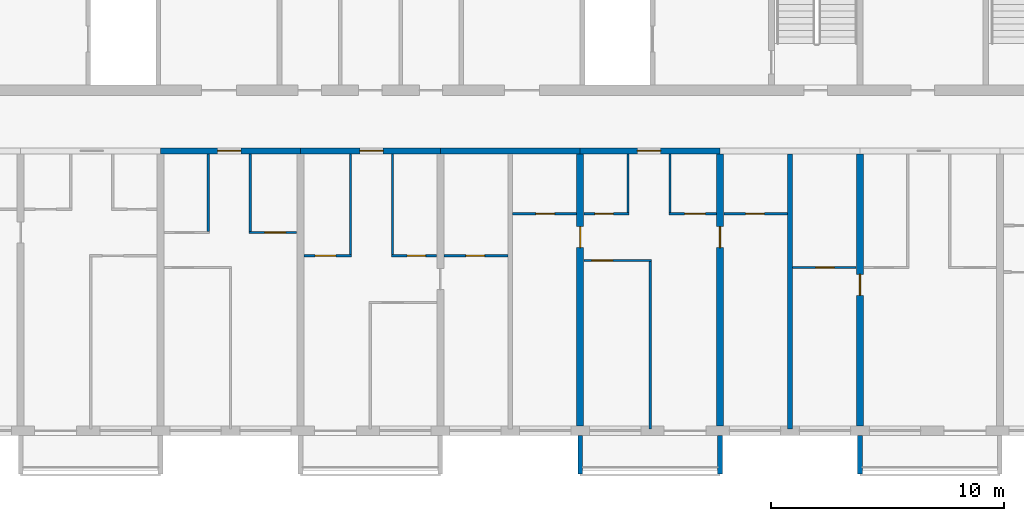
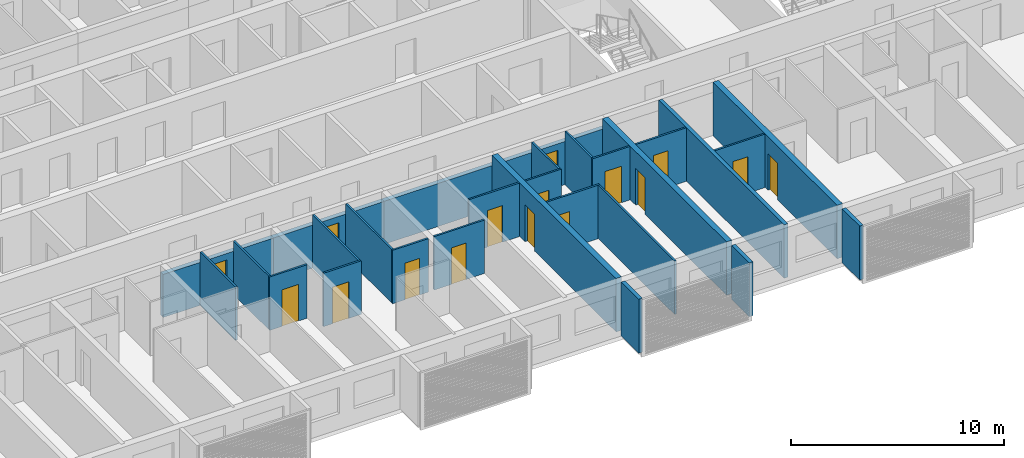
# One storey, part 5 of 33: 28 walls, 16 doors, 16 openings.
"""IFC4 building model written with IfcOpenShell, lengths in metres."""

from ifc_helpers import new_model, si_unit, direction, frame, frame_2d, origin, place, context, subcontext, project, spatial, polyline, rectangle, outline, extrude, source, transform, mapped, material, layer, layer_set, type_object, element, fill, save


model = new_model("IFC4")

# Units and contexts
model_context = context("Model", 3, precision=1e-05, world=origin(), true_north=direction((0.0, 1.0)))
body_context = subcontext(model_context, "Body", "Model", "MODEL_VIEW")
ifc_project = project(units=[si_unit("LENGTHUNIT", "METRE"), si_unit("AREAUNIT", "SQUARE_METRE"), si_unit("VOLUMEUNIT", "CUBIC_METRE"), si_unit("PLANEANGLEUNIT", "RADIAN"), si_unit("MASSUNIT", "GRAM", prefix="KILO")], contexts=[model_context])

# Site, building, storey
site_placement = place(None, origin())
site = spatial("IfcSite", under=ifc_project, at=site_placement, CompositionType="ELEMENT")
building_placement = place(site_placement, origin())
building = spatial("IfcBuilding", under=site, at=building_placement, Name="Poui Terraces", CompositionType="ELEMENT")
storey_placement = place(building_placement, frame((0.0, 0.0, 132.300048828125)))
storey = spatial("IfcBuildingStorey", under=building, at=storey_placement, Name="L36", CompositionType="ELEMENT", Elevation=132.300048828125)

# Wall, opening, door
ifc_material_1 = material(Name="Concrete 65 MPa", Category="concrete")
ifc_layer_1 = layer(ifc_material_1, 0.25)
ifc_layer_set_1 = layer_set([ifc_layer_1], Name="Concrete 65 MPa")
wall_type_1 = type_object("IfcWallType", Name="CORRIDOR WALL 250 65MPa", PredefinedType="SHEAR", material=ifc_layer_set_1)
wall_1_placement = place(storey_placement, frame((42.0, 12.0, 0.0), z_axis=(0.0, 0.0, 1.0), x_axis=(1.0, 0.0, 0.0)))
wall_1 = element("IfcWall", 1, at=wall_1_placement, inside=storey, type_object=wall_type_1, Name="CORRIDOR WALL LINE B BAY 6", PredefinedType="SHEAR", context=body_context, shape_type="SweptSolid", body=[
    extrude(rectangle(XDim=6.0, YDim=0.25, at=frame_2d((3.0, 0.0))), origin(), (0.0, 0.0, 1.0), 2.469970703125),
])
opening_1_placement = place(wall_1_placement, frame((2.449951171875, 0.0, 0.0)))
opening_1 = element("IfcOpeningElement", 2, at=opening_1_placement, cuts=wall_1, Name="Opening FD30S", PredefinedType="OPENING", context=body_context, shape_type="SweptSolid", body=[
    extrude(rectangle(XDim=1.0, YDim=2.10009765625, at=frame_2d((0.5, 1.050048828125))), frame((0.0, 0.135009765625, 0.0), z_axis=(0.0, -1.0, 0.0), x_axis=(1.0, 0.0, 0.0)), (0.0, 0.0, 1.0), 0.27001953125),
])
ifc_material_2 = material(Name="Steel fire door", Category="steel")
door_type_1 = type_object("IfcDoorType", Name="FLAT ENTRANCE DOOR 1000 X 2100", OperationType="NOTDEFINED", PredefinedType="DOOR", material=ifc_material_2)
door_1_placement = place(opening_1_placement, frame((1.0, 0.0, 0.0), z_axis=(0.0, 0.0, 1.0), x_axis=(-1.0, 0.0, 0.0)))
door_1 = element("IfcDoor", 3, at=door_1_placement, inside=storey, type_object=door_type_1, Name="FLAT ENTRANCE DOOR 091", OperationType="SINGLE_SWING_RIGHT", OverallHeight=2.10009765625, OverallWidth=1.0, PredefinedType="DOOR", context=body_context, shape_type="SweptSolid", body=[
    extrude(rectangle(XDim=1.0, YDim=2.10009765625, at=frame_2d((0.5, 1.050048828125))), frame((0.0, 0.02490234375, 0.0), z_axis=(0.0, -1.0, 0.0), x_axis=(1.0, 0.0, 0.0)), (0.0, 0.0, 1.0), 0.050048828125),
])
fill(opening_1, door_1)

wall_2_placement = place(storey_placement, frame((48.0, 12.0, 0.0), z_axis=(0.0, 0.0, 1.0), x_axis=(1.0, 0.0, 0.0)))
wall_2 = element("IfcWall", 4, at=wall_2_placement, inside=storey, type_object=wall_type_1, Name="CORRIDOR WALL LINE B BAY 7", PredefinedType="SHEAR", context=body_context, shape_type="SweptSolid", body=[
    extrude(rectangle(XDim=6.0, YDim=0.25, at=frame_2d((3.0, 0.0))), origin(), (0.0, 0.0, 1.0), 2.469970703125),
])
opening_2_placement = place(wall_2_placement, frame((2.550048828125, 0.0, 0.0)))
opening_2 = element("IfcOpeningElement", 5, at=opening_2_placement, cuts=wall_2, Name="Opening FD30S", PredefinedType="OPENING", context=body_context, shape_type="SweptSolid", body=[
    extrude(rectangle(XDim=1.0, YDim=2.10009765625, at=frame_2d((0.5, 1.050048828125))), frame((0.0, 0.135009765625, 0.0), z_axis=(0.0, -1.0, 0.0), x_axis=(1.0, 0.0, 0.0)), (0.0, 0.0, 1.0), 0.27001953125),
])
door_2_placement = place(opening_2_placement, frame((1.0, 0.0, 0.0), z_axis=(0.0, 0.0, 1.0), x_axis=(-1.0, 0.0, 0.0)))
door_2 = element("IfcDoor", 6, at=door_2_placement, inside=storey, type_object=door_type_1, Name="FLAT ENTRANCE DOOR 095", OperationType="SINGLE_SWING_LEFT", OverallHeight=2.10009765625, OverallWidth=1.0, PredefinedType="DOOR", context=body_context, shape_type="SweptSolid", body=[
    extrude(rectangle(XDim=1.0, YDim=2.10009765625, at=frame_2d((0.5, 1.050048828125))), frame((0.0, 0.02490234375, 0.0), z_axis=(0.0, -1.0, 0.0), x_axis=(1.0, 0.0, 0.0)), (0.0, 0.0, 1.0), 0.050048828125),
])
fill(opening_2, door_2)

# Wall
wall_3_placement = place(storey_placement, frame((54.0, 12.0, 0.0), z_axis=(0.0, 0.0, 1.0), x_axis=(1.0, 0.0, 0.0)))
element("IfcWall", 7, at=wall_3_placement, inside=storey, type_object=wall_type_1, Name="CORRIDOR WALL LINE B BAY 8", PredefinedType="SHEAR", context=body_context, shape_type="SweptSolid", body=[
    extrude(rectangle(XDim=6.0, YDim=0.25, at=frame_2d((3.0, 0.0))), origin(), (0.0, 0.0, 1.0), 2.469970703125),
])

# Wall, opening, door
wall_4_placement = place(storey_placement, frame((60.0, 12.0, 0.0), z_axis=(0.0, 0.0, 1.0), x_axis=(1.0, 0.0, 0.0)))
wall_4 = element("IfcWall", 8, at=wall_4_placement, inside=storey, type_object=wall_type_1, Name="CORRIDOR WALL LINE B BAY 9", PredefinedType="SHEAR", context=body_context, shape_type="SweptSolid", body=[
    extrude(rectangle(XDim=6.0, YDim=0.25, at=frame_2d((3.0, 0.0))), origin(), (0.0, 0.0, 1.0), 2.469970703125),
])
opening_3_placement = place(wall_4_placement, frame((2.449951171875, 0.0, 0.0)))
opening_3 = element("IfcOpeningElement", 9, at=opening_3_placement, cuts=wall_4, Name="Opening FD30S", PredefinedType="OPENING", context=body_context, shape_type="SweptSolid", body=[
    extrude(rectangle(XDim=1.0, YDim=2.10009765625, at=frame_2d((0.5, 1.050048828125))), frame((0.0, 0.135009765625, 0.0), z_axis=(0.0, -1.0, 0.0), x_axis=(1.0, 0.0, 0.0)), (0.0, 0.0, 1.0), 0.27001953125),
])
door_3_placement = place(opening_3_placement, frame((1.0, 0.0, 0.0), z_axis=(0.0, 0.0, 1.0), x_axis=(-1.0, 0.0, 0.0)))
door_3 = element("IfcDoor", 10, at=door_3_placement, inside=storey, type_object=door_type_1, Name="FLAT ENTRANCE DOOR 104", OperationType="SINGLE_SWING_RIGHT", OverallHeight=2.10009765625, OverallWidth=1.0, PredefinedType="DOOR", context=body_context, shape_type="SweptSolid", body=[
    extrude(rectangle(XDim=1.0, YDim=2.10009765625, at=frame_2d((0.5, 1.050048828125))), frame((0.0, 0.02490234375, 0.0), z_axis=(0.0, -1.0, 0.0), x_axis=(1.0, 0.0, 0.0)), (0.0, 0.0, 1.0), 0.050048828125),
])
fill(opening_3, door_3)

ifc_layer_2 = layer(ifc_material_1, 0.300048828125)
ifc_layer_set_2 = layer_set([ifc_layer_2], Name="Concrete 65 MPa")
wall_type_2 = type_object("IfcWallType", Name="CROSS WALL 300 65MPa", PredefinedType="SHEAR", material=ifc_layer_set_2)
wall_5_placement = place(storey_placement, frame((60.0, 0.199951171875, 0.0), z_axis=(0.0, 0.0, 1.0), x_axis=(0.0, 1.0, 0.0)))
wall_5 = element("IfcWall", 11, at=wall_5_placement, inside=storey, type_object=wall_type_2, Name="CROSS WALL LINE 11 SOUTH", PredefinedType="SHEAR", context=body_context, shape_type="SweptSolid", body=[
    extrude(rectangle(XDim=11.675048828125, YDim=0.300048828125, at=frame_2d((5.83740234375, 0.0))), origin(), (0.0, 0.0, 1.0), 3.070068359375),
])
opening_4_placement = place(wall_5_placement, frame((7.64990234375, 0.0, 0.0)))
opening_4 = element("IfcOpeningElement", 12, at=opening_4_placement, cuts=wall_5, Name="Opening D90", PredefinedType="OPENING", context=body_context, shape_type="SweptSolid", body=[
    extrude(rectangle(XDim=0.89990234375, YDim=2.10009765625, at=frame_2d((0.449951171875, 1.050048828125))), frame((0.0, 0.16015625, 0.0), z_axis=(0.0, -1.0, 0.0), x_axis=(1.0, 0.0, 0.0)), (0.0, 0.0, 1.0), 0.320068359375),
])
ifc_material_3 = material(Name="Solid core timber door", Category="wood")
door_type_2 = type_object("IfcDoorType", Name="INTERNAL DOOR 900 X 2100", OperationType="NOTDEFINED", PredefinedType="DOOR", material=ifc_material_3)
door_4_placement = place(opening_4_placement, origin())
door_4 = element("IfcDoor", 13, at=door_4_placement, inside=storey, type_object=door_type_2, Name="INTERNAL DOOR 101", OperationType="SINGLE_SWING_RIGHT", OverallHeight=2.10009765625, OverallWidth=0.89990234375, PredefinedType="DOOR", context=body_context, shape_type="SweptSolid", body=[
    extrude(rectangle(XDim=0.89990234375, YDim=2.10009765625, at=frame_2d((0.449951171875, 1.050048828125))), frame((0.0, 0.02490234375, 0.0), z_axis=(0.0, -1.0, 0.0), x_axis=(1.0, 0.0, 0.0)), (0.0, 0.0, 1.0), 0.050048828125),
])
fill(opening_4, door_4)

wall_6_placement = place(storey_placement, frame((66.0, 0.199951171875, 0.0), z_axis=(0.0, 0.0, 1.0), x_axis=(0.0, 1.0, 0.0)))
wall_6 = element("IfcWall", 14, at=wall_6_placement, inside=storey, type_object=wall_type_2, Name="CROSS WALL LINE 12 SOUTH", PredefinedType="SHEAR", context=body_context, shape_type="SweptSolid", body=[
    extrude(rectangle(XDim=11.675048828125, YDim=0.300048828125, at=frame_2d((5.83740234375, 0.0))), origin(), (0.0, 0.0, 1.0), 3.070068359375),
])
opening_5_placement = place(wall_6_placement, frame((7.64990234375, 0.0, 0.0)))
opening_5 = element("IfcOpeningElement", 15, at=opening_5_placement, cuts=wall_6, Name="Opening D90", PredefinedType="OPENING", context=body_context, shape_type="SweptSolid", body=[
    extrude(rectangle(XDim=0.89990234375, YDim=2.10009765625, at=frame_2d((0.449951171875, 1.050048828125))), frame((0.0, 0.16015625, 0.0), z_axis=(0.0, -1.0, 0.0), x_axis=(1.0, 0.0, 0.0)), (0.0, 0.0, 1.0), 0.320068359375),
])
door_5_placement = place(opening_5_placement, frame((0.89990234375, 0.0, 0.0), z_axis=(0.0, 0.0, 1.0), x_axis=(-1.0, 0.0, 0.0)))
door_5 = element("IfcDoor", 16, at=door_5_placement, inside=storey, type_object=door_type_2, Name="INTERNAL DOOR 106", OperationType="SINGLE_SWING_LEFT", OverallHeight=2.10009765625, OverallWidth=0.89990234375, PredefinedType="DOOR", context=body_context, shape_type="SweptSolid", body=[
    extrude(rectangle(XDim=0.89990234375, YDim=2.10009765625, at=frame_2d((0.449951171875, 1.050048828125))), frame((0.0, 0.02490234375, 0.0), z_axis=(0.0, -1.0, 0.0), x_axis=(1.0, 0.0, 0.0)), (0.0, 0.0, 1.0), 0.050048828125),
])
fill(opening_5, door_5)

wall_7_placement = place(storey_placement, frame((72.0, 0.199951171875, 0.0), z_axis=(0.0, 0.0, 1.0), x_axis=(0.0, 1.0, 0.0)))
wall_7 = element("IfcWall", 17, at=wall_7_placement, inside=storey, type_object=wall_type_2, Name="CROSS WALL LINE 13 SOUTH", PredefinedType="SHEAR", context=body_context, shape_type="SweptSolid", body=[
    extrude(rectangle(XDim=11.675048828125, YDim=0.300048828125, at=frame_2d((5.83740234375, 0.0))), origin(), (0.0, 0.0, 1.0), 3.070068359375),
])
opening_6_placement = place(wall_7_placement, frame((5.60009765625, 0.0, 0.0)))
opening_6 = element("IfcOpeningElement", 18, at=opening_6_placement, cuts=wall_7, Name="Opening D90", PredefinedType="OPENING", context=body_context, shape_type="SweptSolid", body=[
    extrude(rectangle(XDim=0.89990234375, YDim=2.10009765625, at=frame_2d((0.449951171875, 1.050048828125))), frame((0.0, 0.16015625, 0.0), z_axis=(0.0, -1.0, 0.0), x_axis=(1.0, 0.0, 0.0)), (0.0, 0.0, 1.0), 0.320068359375),
])
door_6_placement = place(opening_6_placement, origin())
door_6 = element("IfcDoor", 19, at=door_6_placement, inside=storey, type_object=door_type_2, Name="INTERNAL DOOR 108", OperationType="SINGLE_SWING_RIGHT", OverallHeight=2.10009765625, OverallWidth=0.89990234375, PredefinedType="DOOR", context=body_context, shape_type="SweptSolid", body=[
    extrude(rectangle(XDim=0.89990234375, YDim=2.10009765625, at=frame_2d((0.449951171875, 1.050048828125))), frame((0.0, 0.02490234375, 0.0), z_axis=(0.0, -1.0, 0.0), x_axis=(1.0, 0.0, 0.0)), (0.0, 0.0, 1.0), 0.050048828125),
])
fill(opening_6, door_6)

ifc_material_4 = material(Name="Plasterboard partition")
ifc_layer_3 = layer(ifc_material_4, 0.10009765625)
ifc_layer_set_3 = layer_set([ifc_layer_3], Name="Plasterboard partition")
wall_type_3 = type_object("IfcWallType", Name="FLAT PARTITION 100", PredefinedType="PARTITIONING", material=ifc_layer_set_3)
wall_8_placement = place(storey_placement, frame((69.10009765625, 7.0, 0.0), z_axis=(0.0, 0.0, 1.0), x_axis=(1.0, 0.0, 0.0)))
wall_8 = element("IfcWall", 20, at=wall_8_placement, inside=storey, type_object=wall_type_3, Name="FLAT PARTITION 100", PredefinedType="PARTITIONING", context=body_context, shape_type="SweptSolid", body=[
    extrude(rectangle(XDim=2.739990234375, YDim=0.10009765625, at=frame_2d((1.3701171875, 0.0))), origin(), (0.0, 0.0, 1.0), 3.070068359375),
])
opening_7_placement = place(wall_8_placement, frame((1.0, 0.0, 0.0)))
opening_7 = element("IfcOpeningElement", 21, at=opening_7_placement, cuts=wall_8, Name="Opening D80", PredefinedType="OPENING", context=body_context, shape_type="SweptSolid", body=[
    extrude(rectangle(XDim=0.800048828125, YDim=2.10009765625, at=frame_2d((0.39990234375, 1.050048828125))), frame((0.0, 0.06005859375, 0.0), z_axis=(0.0, -1.0, 0.0), x_axis=(1.0, 0.0, 0.0)), (0.0, 0.0, 1.0), 0.1201171875),
])
door_type_3 = type_object("IfcDoorType", Name="BATHROOM, LAUNDRY AND STORE DOOR 800 X 2100", OperationType="NOTDEFINED", PredefinedType="DOOR", material=ifc_material_3)
door_7_placement = place(opening_7_placement, origin())
door_7 = element("IfcDoor", 22, at=door_7_placement, inside=storey, type_object=door_type_3, Name="BATHROOM, LAUNDRY AND STORE DOOR 107", OperationType="SINGLE_SWING_RIGHT", OverallHeight=2.10009765625, OverallWidth=0.800048828125, PredefinedType="DOOR", context=body_context, shape_type="SweptSolid", body=[
    extrude(rectangle(XDim=0.800048828125, YDim=2.10009765625, at=frame_2d((0.39990234375, 1.050048828125))), frame((0.0, 0.02490234375, 0.0), z_axis=(0.0, -1.0, 0.0), x_axis=(1.0, 0.0, 0.0)), (0.0, 0.0, 1.0), 0.050048828125),
])
fill(opening_7, door_7)

wall_9_placement = place(storey_placement, frame((60.159912109375, 7.300048828125, 0.0), z_axis=(0.0, 0.0, 1.0), x_axis=(1.0, 0.0, 0.0)))
wall_9 = element("IfcWall", 23, at=wall_9_placement, inside=storey, type_object=wall_type_3, Name="FLAT PARTITION 100", PredefinedType="PARTITIONING", context=body_context, shape_type="SweptSolid", body=[
    extrude(rectangle(XDim=2.89013671875, YDim=0.10009765625, at=frame_2d((1.445068359375, 0.0))), origin(), (0.0, 0.0, 1.0), 3.070068359375),
])
opening_8_placement = place(wall_9_placement, frame((0.340087890625, 0.0, 0.0)))
opening_8 = element("IfcOpeningElement", 24, at=opening_8_placement, cuts=wall_9, Name="Opening D90", PredefinedType="OPENING", context=body_context, shape_type="SweptSolid", body=[
    extrude(rectangle(XDim=0.89990234375, YDim=2.10009765625, at=frame_2d((0.449951171875, 1.050048828125))), frame((0.0, 0.06005859375, 0.0), z_axis=(0.0, -1.0, 0.0), x_axis=(1.0, 0.0, 0.0)), (0.0, 0.0, 1.0), 0.1201171875),
])
door_8_placement = place(opening_8_placement, origin())
door_8 = element("IfcDoor", 25, at=door_8_placement, inside=storey, type_object=door_type_2, Name="INTERNAL DOOR 102", OperationType="SINGLE_SWING_RIGHT", OverallHeight=2.10009765625, OverallWidth=0.89990234375, PredefinedType="DOOR", context=body_context, shape_type="SweptSolid", body=[
    extrude(rectangle(XDim=0.89990234375, YDim=2.10009765625, at=frame_2d((0.449951171875, 1.050048828125))), frame((0.0, 0.02490234375, 0.0), z_axis=(0.0, -1.0, 0.0), x_axis=(1.0, 0.0, 0.0)), (0.0, 0.0, 1.0), 0.050048828125),
])
fill(opening_8, door_8)

wall_10_placement = place(storey_placement, frame((48.159912109375, 7.5, 0.0), z_axis=(0.0, 0.0, 1.0), x_axis=(1.0, 0.0, 0.0)))
wall_10 = element("IfcWall", 26, at=wall_10_placement, inside=storey, type_object=wall_type_3, Name="FLAT PARTITION 100", PredefinedType="PARTITIONING", context=body_context, shape_type="SweptSolid", body=[
    extrude(rectangle(XDim=2.0400390625, YDim=0.10009765625, at=frame_2d((1.02001953125, 0.0))), origin(), (0.0, 0.0, 1.0), 3.070068359375),
])
opening_9_placement = place(wall_10_placement, frame((0.465087890625, 0.0, 0.0)))
opening_9 = element("IfcOpeningElement", 27, at=opening_9_placement, cuts=wall_10, Name="Opening D90", PredefinedType="OPENING", context=body_context, shape_type="SweptSolid", body=[
    extrude(rectangle(XDim=0.89990234375, YDim=2.10009765625, at=frame_2d((0.449951171875, 1.050048828125))), frame((0.0, 0.06005859375, 0.0), z_axis=(0.0, -1.0, 0.0), x_axis=(1.0, 0.0, 0.0)), (0.0, 0.0, 1.0), 0.1201171875),
])
door_9_placement = place(opening_9_placement, origin())
door_9 = element("IfcDoor", 28, at=door_9_placement, inside=storey, type_object=door_type_2, Name="INTERNAL DOOR 094", OperationType="SINGLE_SWING_RIGHT", OverallHeight=2.10009765625, OverallWidth=0.89990234375, PredefinedType="DOOR", context=body_context, shape_type="SweptSolid", body=[
    extrude(rectangle(XDim=0.89990234375, YDim=2.10009765625, at=frame_2d((0.449951171875, 1.050048828125))), frame((0.0, 0.02490234375, 0.0), z_axis=(0.0, -1.0, 0.0), x_axis=(1.0, 0.0, 0.0)), (0.0, 0.0, 1.0), 0.050048828125),
])
fill(opening_9, door_9)

wall_11_placement = place(storey_placement, frame((51.89990234375, 7.5, 0.0), z_axis=(0.0, 0.0, 1.0), x_axis=(1.0, 0.0, 0.0)))
wall_11 = element("IfcWall", 29, at=wall_11_placement, inside=storey, type_object=wall_type_3, Name="FLAT PARTITION 100", PredefinedType="PARTITIONING", context=body_context, shape_type="SweptSolid", body=[
    extrude(rectangle(XDim=1.940185546875, YDim=0.10009765625, at=frame_2d((0.97021484375, 0.0))), origin(), (0.0, 0.0, 1.0), 3.070068359375),
])
opening_10_placement = place(wall_11_placement, frame((0.675048828125, 0.0, 0.0)))
opening_10 = element("IfcOpeningElement", 30, at=opening_10_placement, cuts=wall_11, Name="Opening D80", PredefinedType="OPENING", context=body_context, shape_type="SweptSolid", body=[
    extrude(rectangle(XDim=0.800048828125, YDim=2.10009765625, at=frame_2d((0.39990234375, 1.050048828125))), frame((0.0, 0.06005859375, 0.0), z_axis=(0.0, -1.0, 0.0), x_axis=(1.0, 0.0, 0.0)), (0.0, 0.0, 1.0), 0.1201171875),
])
door_10_placement = place(opening_10_placement, origin())
door_10 = element("IfcDoor", 31, at=door_10_placement, inside=storey, type_object=door_type_3, Name="BATHROOM, LAUNDRY AND STORE DOOR 097", OperationType="SINGLE_SWING_LEFT", OverallHeight=2.10009765625, OverallWidth=0.800048828125, PredefinedType="DOOR", context=body_context, shape_type="SweptSolid", body=[
    extrude(rectangle(XDim=0.800048828125, YDim=2.10009765625, at=frame_2d((0.39990234375, 1.050048828125))), frame((0.0, 0.02490234375, 0.0), z_axis=(0.0, -1.0, 0.0), x_axis=(1.0, 0.0, 0.0)), (0.0, 0.0, 1.0), 0.050048828125),
])
fill(opening_10, door_10)

wall_12_placement = place(storey_placement, frame((54.159912109375, 7.5, 0.0), z_axis=(0.0, 0.0, 1.0), x_axis=(1.0, 0.0, 0.0)))
wall_12 = element("IfcWall", 32, at=wall_12_placement, inside=storey, type_object=wall_type_3, Name="FLAT PARTITION 100", PredefinedType="PARTITIONING", context=body_context, shape_type="SweptSolid", body=[
    extrude(rectangle(XDim=2.739990234375, YDim=0.10009765625, at=frame_2d((1.3701171875, 0.0))), origin(), (0.0, 0.0, 1.0), 3.070068359375),
])
opening_11_placement = place(wall_12_placement, frame((0.93994140625, 0.0, 0.0)))
opening_11 = element("IfcOpeningElement", 33, at=opening_11_placement, cuts=wall_12, Name="Opening D80", PredefinedType="OPENING", context=body_context, shape_type="SweptSolid", body=[
    extrude(rectangle(XDim=0.800048828125, YDim=2.10009765625, at=frame_2d((0.39990234375, 1.050048828125))), frame((0.0, 0.06005859375, 0.0), z_axis=(0.0, -1.0, 0.0), x_axis=(1.0, 0.0, 0.0)), (0.0, 0.0, 1.0), 0.1201171875),
])
door_11_placement = place(opening_11_placement, origin())
door_11 = element("IfcDoor", 34, at=door_11_placement, inside=storey, type_object=door_type_3, Name="BATHROOM, LAUNDRY AND STORE DOOR 093", OperationType="SINGLE_SWING_RIGHT", OverallHeight=2.10009765625, OverallWidth=0.800048828125, PredefinedType="DOOR", context=body_context, shape_type="SweptSolid", body=[
    extrude(rectangle(XDim=0.800048828125, YDim=2.10009765625, at=frame_2d((0.39990234375, 1.050048828125))), frame((0.0, 0.02490234375, 0.0), z_axis=(0.0, -1.0, 0.0), x_axis=(1.0, 0.0, 0.0)), (0.0, 0.0, 1.0), 0.050048828125),
])
fill(opening_11, door_11)

wall_13_placement = place(storey_placement, frame((45.800048828125, 8.5, 0.0), z_axis=(0.0, 0.0, 1.0), x_axis=(1.0, 0.0, 0.0)))
wall_13 = element("IfcWall", 35, at=wall_13_placement, inside=storey, type_object=wall_type_3, Name="FLAT PARTITION 100", PredefinedType="PARTITIONING", context=body_context, shape_type="SweptSolid", body=[
    extrude(rectangle(XDim=2.0400390625, YDim=0.10009765625, at=frame_2d((1.02001953125, 0.0))), origin(), (0.0, 0.0, 1.0), 3.070068359375),
])
opening_12_placement = place(wall_13_placement, frame((0.675048828125, 0.0, 0.0)))
opening_12 = element("IfcOpeningElement", 36, at=opening_12_placement, cuts=wall_13, Name="Opening D90", PredefinedType="OPENING", context=body_context, shape_type="SweptSolid", body=[
    extrude(rectangle(XDim=0.89990234375, YDim=2.10009765625, at=frame_2d((0.449951171875, 1.050048828125))), frame((0.0, 0.06005859375, 0.0), z_axis=(0.0, -1.0, 0.0), x_axis=(1.0, 0.0, 0.0)), (0.0, 0.0, 1.0), 0.1201171875),
])
door_12_placement = place(opening_12_placement, origin())
door_12 = element("IfcDoor", 37, at=door_12_placement, inside=storey, type_object=door_type_2, Name="INTERNAL DOOR 092", OperationType="SINGLE_SWING_RIGHT", OverallHeight=2.10009765625, OverallWidth=0.89990234375, PredefinedType="DOOR", context=body_context, shape_type="SweptSolid", body=[
    extrude(rectangle(XDim=0.89990234375, YDim=2.10009765625, at=frame_2d((0.449951171875, 1.050048828125))), frame((0.0, 0.02490234375, 0.0), z_axis=(0.0, -1.0, 0.0), x_axis=(1.0, 0.0, 0.0)), (0.0, 0.0, 1.0), 0.050048828125),
])
fill(opening_12, door_12)

wall_14_placement = place(storey_placement, frame((57.10009765625, 9.300048828125, 0.0), z_axis=(0.0, 0.0, 1.0), x_axis=(1.0, 0.0, 0.0)))
wall_14 = element("IfcWall", 38, at=wall_14_placement, inside=storey, type_object=wall_type_3, Name="FLAT PARTITION 100", PredefinedType="PARTITIONING", context=body_context, shape_type="SweptSolid", body=[
    extrude(rectangle(XDim=2.739990234375, YDim=0.10009765625, at=frame_2d((1.3701171875, 0.0))), origin(), (0.0, 0.0, 1.0), 3.070068359375),
])
opening_13_placement = place(wall_14_placement, frame((1.0, 0.0, 0.0)))
opening_13 = element("IfcOpeningElement", 39, at=opening_13_placement, cuts=wall_14, Name="Opening D80", PredefinedType="OPENING", context=body_context, shape_type="SweptSolid", body=[
    extrude(rectangle(XDim=0.800048828125, YDim=2.10009765625, at=frame_2d((0.39990234375, 1.050048828125))), frame((0.0, 0.06005859375, 0.0), z_axis=(0.0, -1.0, 0.0), x_axis=(1.0, 0.0, 0.0)), (0.0, 0.0, 1.0), 0.1201171875),
])
door_13_placement = place(opening_13_placement, origin())
door_13 = element("IfcDoor", 40, at=door_13_placement, inside=storey, type_object=door_type_3, Name="BATHROOM, LAUNDRY AND STORE DOOR 099", OperationType="SINGLE_SWING_LEFT", OverallHeight=2.10009765625, OverallWidth=0.800048828125, PredefinedType="DOOR", context=body_context, shape_type="SweptSolid", body=[
    extrude(rectangle(XDim=0.800048828125, YDim=2.10009765625, at=frame_2d((0.39990234375, 1.050048828125))), frame((0.0, 0.02490234375, 0.0), z_axis=(0.0, -1.0, 0.0), x_axis=(1.0, 0.0, 0.0)), (0.0, 0.0, 1.0), 0.050048828125),
])
fill(opening_13, door_13)

wall_15_placement = place(storey_placement, frame((60.159912109375, 9.300048828125, 0.0), z_axis=(0.0, 0.0, 1.0), x_axis=(1.0, 0.0, 0.0)))
wall_15 = element("IfcWall", 41, at=wall_15_placement, inside=storey, type_object=wall_type_3, Name="FLAT PARTITION 100", PredefinedType="PARTITIONING", context=body_context, shape_type="SweptSolid", body=[
    extrude(rectangle(XDim=1.940185546875, YDim=0.10009765625, at=frame_2d((0.97021484375, 0.0))), origin(), (0.0, 0.0, 1.0), 3.070068359375),
])
opening_14_placement = place(wall_15_placement, frame((0.465087890625, 0.0, 0.0)))
opening_14 = element("IfcOpeningElement", 42, at=opening_14_placement, cuts=wall_15, Name="Opening D80", PredefinedType="OPENING", context=body_context, shape_type="SweptSolid", body=[
    extrude(rectangle(XDim=0.800048828125, YDim=2.10009765625, at=frame_2d((0.39990234375, 1.050048828125))), frame((0.0, 0.06005859375, 0.0), z_axis=(0.0, -1.0, 0.0), x_axis=(1.0, 0.0, 0.0)), (0.0, 0.0, 1.0), 0.1201171875),
])
door_14_placement = place(opening_14_placement, origin())
door_14 = element("IfcDoor", 43, at=door_14_placement, inside=storey, type_object=door_type_3, Name="BATHROOM, LAUNDRY AND STORE DOOR 103", OperationType="SINGLE_SWING_LEFT", OverallHeight=2.10009765625, OverallWidth=0.800048828125, PredefinedType="DOOR", context=body_context, shape_type="SweptSolid", body=[
    extrude(rectangle(XDim=0.800048828125, YDim=2.10009765625, at=frame_2d((0.39990234375, 1.050048828125))), frame((0.0, 0.02490234375, 0.0), z_axis=(0.0, -1.0, 0.0), x_axis=(1.0, 0.0, 0.0)), (0.0, 0.0, 1.0), 0.050048828125),
])
fill(opening_14, door_14)

wall_16_placement = place(storey_placement, frame((63.800048828125, 9.300048828125, 0.0), z_axis=(0.0, 0.0, 1.0), x_axis=(1.0, 0.0, 0.0)))
wall_16 = element("IfcWall", 44, at=wall_16_placement, inside=storey, type_object=wall_type_3, Name="FLAT PARTITION 100", PredefinedType="PARTITIONING", context=body_context, shape_type="SweptSolid", body=[
    extrude(rectangle(XDim=2.0400390625, YDim=0.10009765625, at=frame_2d((1.02001953125, 0.0))), origin(), (0.0, 0.0, 1.0), 3.070068359375),
])
opening_15_placement = place(wall_16_placement, frame((0.675048828125, 0.0, 0.0)))
opening_15 = element("IfcOpeningElement", 45, at=opening_15_placement, cuts=wall_16, Name="Opening D90", PredefinedType="OPENING", context=body_context, shape_type="SweptSolid", body=[
    extrude(rectangle(XDim=0.89990234375, YDim=2.10009765625, at=frame_2d((0.449951171875, 1.050048828125))), frame((0.0, 0.06005859375, 0.0), z_axis=(0.0, -1.0, 0.0), x_axis=(1.0, 0.0, 0.0)), (0.0, 0.0, 1.0), 0.1201171875),
])
door_15_placement = place(opening_15_placement, origin())
door_15 = element("IfcDoor", 46, at=door_15_placement, inside=storey, type_object=door_type_2, Name="INTERNAL DOOR 105", OperationType="SINGLE_SWING_RIGHT", OverallHeight=2.10009765625, OverallWidth=0.89990234375, PredefinedType="DOOR", context=body_context, shape_type="SweptSolid", body=[
    extrude(rectangle(XDim=0.89990234375, YDim=2.10009765625, at=frame_2d((0.449951171875, 1.050048828125))), frame((0.0, 0.02490234375, 0.0), z_axis=(0.0, -1.0, 0.0), x_axis=(1.0, 0.0, 0.0)), (0.0, 0.0, 1.0), 0.050048828125),
])
fill(opening_15, door_15)

wall_17_placement = place(storey_placement, frame((66.159912109375, 9.300048828125, 0.0), z_axis=(0.0, 0.0, 1.0), x_axis=(1.0, 0.0, 0.0)))
wall_17 = element("IfcWall", 47, at=wall_17_placement, inside=storey, type_object=wall_type_3, Name="FLAT PARTITION 100", PredefinedType="PARTITIONING", context=body_context, shape_type="SweptSolid", body=[
    extrude(rectangle(XDim=2.739990234375, YDim=0.10009765625, at=frame_2d((1.3701171875, 0.0))), origin(), (0.0, 0.0, 1.0), 3.070068359375),
])
opening_16_placement = place(wall_17_placement, frame((0.93994140625, 0.0, 0.0)))
opening_16 = element("IfcOpeningElement", 48, at=opening_16_placement, cuts=wall_17, Name="Opening D80", PredefinedType="OPENING", context=body_context, shape_type="SweptSolid", body=[
    extrude(rectangle(XDim=0.800048828125, YDim=2.10009765625, at=frame_2d((0.39990234375, 1.050048828125))), frame((0.0, 0.06005859375, 0.0), z_axis=(0.0, -1.0, 0.0), x_axis=(1.0, 0.0, 0.0)), (0.0, 0.0, 1.0), 0.1201171875),
])
door_16_placement = place(opening_16_placement, origin())
door_16 = element("IfcDoor", 49, at=door_16_placement, inside=storey, type_object=door_type_3, Name="BATHROOM, LAUNDRY AND STORE DOOR 100", OperationType="SINGLE_SWING_LEFT", OverallHeight=2.10009765625, OverallWidth=0.800048828125, PredefinedType="DOOR", context=body_context, shape_type="SweptSolid", body=[
    extrude(rectangle(XDim=0.800048828125, YDim=2.10009765625, at=frame_2d((0.39990234375, 1.050048828125))), frame((0.0, 0.02490234375, 0.0), z_axis=(0.0, -1.0, 0.0), x_axis=(1.0, 0.0, 0.0)), (0.0, 0.0, 1.0), 0.050048828125),
])
fill(opening_16, door_16)

# Walls
for number, where, z_axis, x_axis, name in (
    (50, (44.050048828125, 8.550048828125, 0.0), (0.0, 0.0, 1.0), (0.0, 1.0, 0.0), "FLAT PARTITION 100"),
    (51, (45.85009765625, 8.550048828125, 0.0), (0.0, 0.0, 1.0), (0.0, 1.0, 0.0), "FLAT PARTITION 100"),
):
    element("IfcWall", number, at=place(storey_placement, frame(where, z_axis=z_axis, x_axis=x_axis)), inside=storey, type_object=wall_type_3, Name=name, PredefinedType="PARTITIONING", context=body_context, shape_type="SweptSolid", body=[
        extrude(rectangle(XDim=3.31494140625, YDim=0.10009765625, at=frame_2d((1.657470703125, 0.0))), origin(), (0.0, 0.0, 1.0), 3.070068359375),
    ])
for number, where, z_axis, x_axis, name in (
    (52, (50.14990234375, 7.550048828125, 0.0), (0.0, 0.0, 1.0), (0.0, 1.0, 0.0), "FLAT PARTITION 100"),
    (53, (51.949951171875, 7.550048828125, 0.0), (0.0, 0.0, 1.0), (0.0, 1.0, 0.0), "FLAT PARTITION 100"),
):
    element("IfcWall", number, at=place(storey_placement, frame(where, z_axis=z_axis, x_axis=x_axis)), inside=storey, type_object=wall_type_3, Name=name, PredefinedType="PARTITIONING", context=body_context, shape_type="SweptSolid", body=[
        extrude(rectangle(XDim=4.31494140625, YDim=0.10009765625, at=frame_2d((2.157470703125, 0.0))), origin(), (0.0, 0.0, 1.0), 3.070068359375),
    ])
wall_18_placement = place(storey_placement, frame((62.050048828125, 9.35009765625, 0.0), z_axis=(0.0, 0.0, 1.0), x_axis=(0.0, 1.0, 0.0)))
element("IfcWall", 54, at=wall_18_placement, inside=storey, type_object=wall_type_3, Name="FLAT PARTITION 100", PredefinedType="PARTITIONING", context=body_context, shape_type="SweptSolid", body=[
    extrude(rectangle(XDim=2.514892578125, YDim=0.10009765625, at=frame_2d((1.25732421875, 0.0))), origin(), (0.0, 0.0, 1.0), 3.070068359375),
])
wall_19_placement = place(storey_placement, frame((63.0, 0.06005859375, 0.0), z_axis=(0.0, 0.0, 1.0), x_axis=(0.0, 1.0, 0.0)))
element("IfcWall", 55, at=wall_19_placement, inside=storey, type_object=wall_type_3, Name="FLAT PARTITION 100", PredefinedType="PARTITIONING", context=body_context, shape_type="SweptSolid", body=[
    extrude(rectangle(XDim=7.18994140625, YDim=0.10009765625, at=frame_2d((3.594970703125, 0.0))), origin(), (0.0, 0.0, 1.0), 3.070068359375),
])
wall_20_placement = place(storey_placement, frame((63.85009765625, 9.35009765625, 0.0), z_axis=(0.0, 0.0, 1.0), x_axis=(0.0, 1.0, 0.0)))
element("IfcWall", 56, at=wall_20_placement, inside=storey, type_object=wall_type_3, Name="FLAT PARTITION 100", PredefinedType="PARTITIONING", context=body_context, shape_type="SweptSolid", body=[
    extrude(rectangle(XDim=2.514892578125, YDim=0.10009765625, at=frame_2d((1.25732421875, 0.0))), origin(), (0.0, 0.0, 1.0), 3.070068359375),
])
ifc_material_5 = material(Name="Fire-rated masonry wall", Category="masonry")
ifc_layer_4 = layer(ifc_material_5, 0.199951171875)
ifc_layer_set_4 = layer_set([ifc_layer_4], Name="Fire-rated masonry wall")
wall_type_4 = type_object("IfcWallType", Name="FLAT PARTY WALL 200", PredefinedType="PARTITIONING", material=ifc_layer_set_4)
wall_21_placement = place(storey_placement, frame((69.0, 0.06005859375, 0.0), z_axis=(0.0, 0.0, 1.0), x_axis=(0.0, 1.0, 0.0)))
element("IfcWall", 57, at=wall_21_placement, inside=storey, type_object=wall_type_4, Name="FLAT PARTY WALL 200", PredefinedType="PARTITIONING", context=body_context, shape_type="SweptSolid", body=[
    extrude(rectangle(XDim=11.804931640625, YDim=0.199951171875, at=frame_2d((5.90234375, 0.0))), origin(), (0.0, 0.0, 1.0), 3.070068359375),
])
ifc_material_6 = material(Name="Precast concrete 40 MPa", Category="concrete")
ifc_layer_5 = layer(ifc_material_6, 0.199951171875)
ifc_layer_set_5 = layer_set([ifc_layer_5], Name="Precast concrete 40 MPa")
wall_type_5 = type_object("IfcWallType", Name="REAR FIN 200", PredefinedType="STANDARD", material=ifc_layer_set_5)
shared_shape = source(origin(), body_context, "Body", "SweptSolid", [
    extrude(outline(polyline([(0.0, 0.0), (0.2001953125, 0.0), (0.2001953125, 1.650146484375), (0.0, 1.650146484375), (0.0, 0.0)])), origin(), (0.0, 0.0, 1.0), 3.099853515625),
])
for number, where, name in (
    (58, (59.89990234375, -1.85009765625, 0.0), "REAR FIN"),
    (59, (65.89990234375, -1.85009765625, 0.0), "REAR FIN"),
    (60, (71.89990234375, -1.85009765625, 0.0), "REAR FIN"),
):
    element("IfcWall", number, at=place(storey_placement, frame(where)), inside=storey, type_object=wall_type_5, Name=name, PredefinedType="STANDARD", context=body_context, shape_type="MappedRepresentation", body=[
        mapped(shared_shape, transform((0.0, 0.0, 0.0))),
    ])

save(model, "model.ifc")
